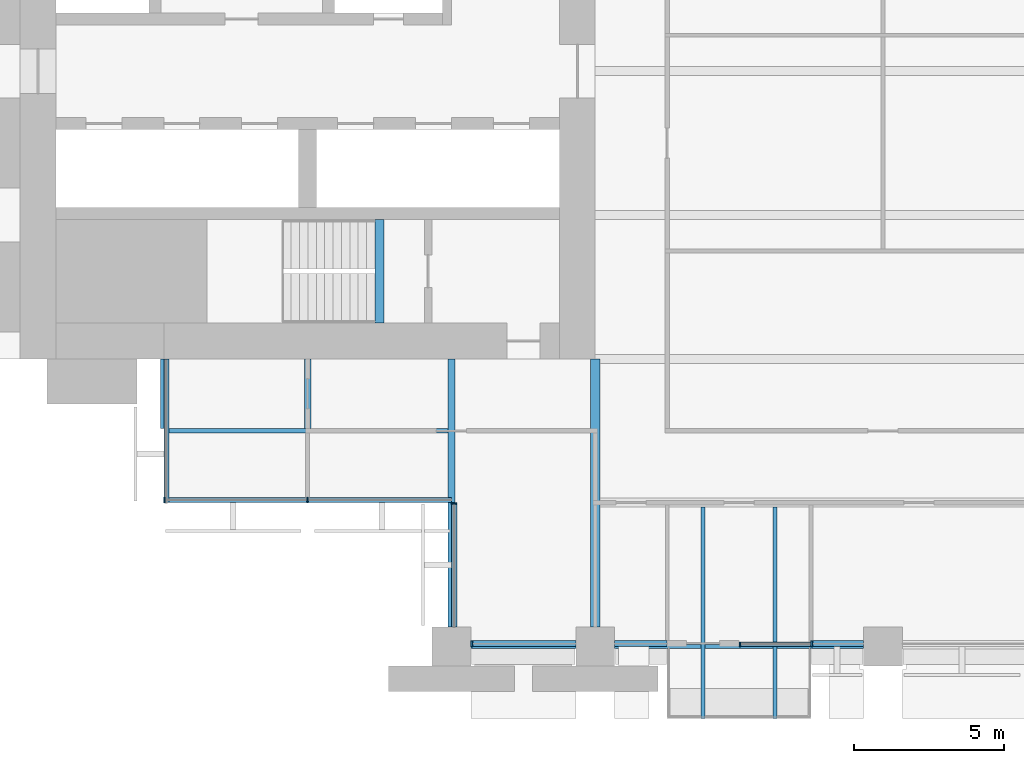
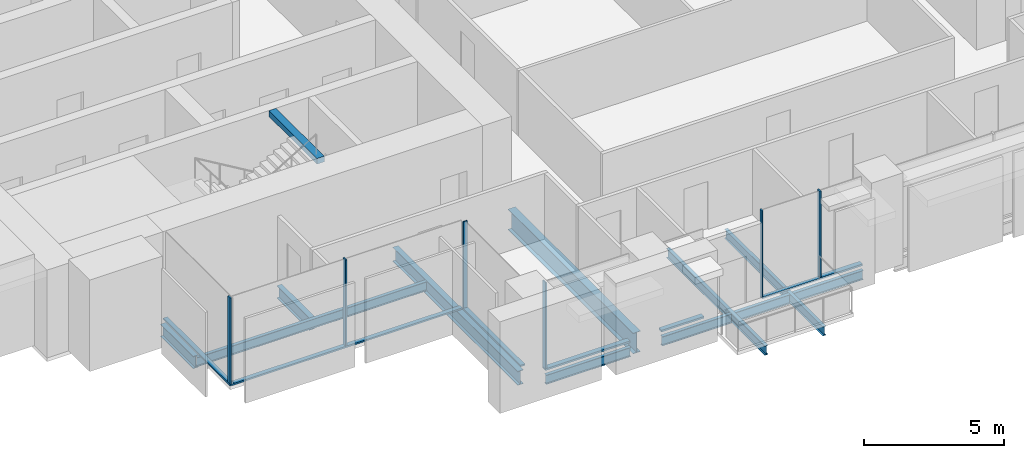
# One storey, part 2 of 15: 13 members, 12 beams, 6 elements without a shape of their own.
"""IFC4 building model written with IfcOpenShell, lengths in metres."""

from ifc_helpers import new_model, si_unit, direction, frame, origin, origin_2d, place, context, subcontext, project, spatial, rectangle, i_section, extrude, material, material_profile, profile_set, type_object, element, aggregate, save


model = new_model("IFC4")

# Units and contexts
model_context = context("Model", 3, precision=1e-05, world=origin(), true_north=direction((0.0, 1.0)))
body_context = subcontext(model_context, "Body", "Model", "MODEL_VIEW")
ifc_project = project(units=[si_unit("LENGTHUNIT", "METRE"), si_unit("AREAUNIT", "SQUARE_METRE"), si_unit("VOLUMEUNIT", "CUBIC_METRE"), si_unit("PLANEANGLEUNIT", "RADIAN"), si_unit("MASSUNIT", "GRAM", prefix="KILO")], contexts=[model_context])

# Site, building, storey
site_placement = place(None, origin())
site = spatial("IfcSite", under=ifc_project, at=site_placement, CompositionType="ELEMENT")
building_placement = place(site_placement, origin())
building = spatial("IfcBuilding", under=site, at=building_placement, Name="Baori Bourse Tower", CompositionType="ELEMENT")
storey_placement = place(building_placement, frame((0.0, 0.0, 47.0)))
storey = spatial("IfcBuildingStorey", under=building, at=storey_placement, Name="L09", CompositionType="ELEMENT", Elevation=47.0)

# Beams
ifc_material_1 = material(Name="Steel A992 Gr 50", Category="steel")
ifc_material_profile_1 = material_profile(ifc_material_1, i_section(OverallWidth=0.140380859375, OverallDepth=0.40380859375, WebThickness=0.007080078125, FlangeThickness=0.01123046875, at=origin_2d()), Name="W16x31")
ifc_profile_set_1 = profile_set([ifc_material_profile_1], Name="Steel A992 Gr 50")
beam_type_1 = type_object("IfcBeamType", Name="Balcony beam W16x31", PredefinedType="BEAM", material=ifc_profile_set_1)
for number, where, z_axis, x_axis, name in (
    (1, (22.800048828125, -2.39990234375, -0.36181640625), (0.0, 1.0, 0.0), (-1.0, 0.0, 0.0), "Balcony beam L09"),
    (2, (25.199951171875, -2.39990234375, -0.36181640625), (0.0, 1.0, 0.0), (-1.0, 0.0, 0.0), "Balcony beam L09"),
):
    element("IfcBeam", number, at=place(storey_placement, frame(where, z_axis=z_axis, x_axis=x_axis)), inside=storey, type_object=beam_type_1, Name=name, PredefinedType="BEAM", context=body_context, shape_type="SweptSolid", body=[
        extrude(i_section(OverallWidth=0.140380859375, OverallDepth=0.40380859375, WebThickness=0.007080078125, FlangeThickness=0.01123046875, at=origin_2d()), origin(), (0.0, 0.0, 1.0), 7.050048828125),
    ])

# Curtain wall, member
ifc_material_2 = material(Name="Pale anodised aluminium", Category="aluminium")
curtain_wall_type_1 = type_object("IfcCurtainWallType", Name="CW1 Curtain wall", PredefinedType="NOTDEFINED", material=ifc_material_2)
curtain_wall_1_placement = place(storey_placement, origin())
curtain_wall_1 = element("IfcCurtainWall", 3, at=curtain_wall_1_placement, inside=storey, type_object=curtain_wall_type_1, Name="Curtain wall CW1 L09 13", PredefinedType="NOTDEFINED")
ifc_material_3 = material(Name="Pale anodised aluminium", Category="aluminium")
ifc_material_profile_2 = material_profile(ifc_material_3, rectangle(XDim=0.199951171875, YDim=0.06005859375, at=origin_2d()), Name="Mullion 60x200")
ifc_profile_set_2 = profile_set([ifc_material_profile_2], Name="Pale anodised aluminium")
member_type_1 = type_object("IfcMemberType", Name="CW1 Curtain wall mullion", PredefinedType="MULLION", material=ifc_profile_set_2)
member_1_placement = place(storey_placement, frame((15.080078125, 0.10009765625, 0.080078125), z_axis=(0.0, 0.0, 1.0), x_axis=(0.0, 1.0, 0.0)))
member_1 = element("IfcMember", 4, at=member_1_placement, type_object=member_type_1, Name="Curtain wall CW1 mullion", PredefinedType="MULLION", context=body_context, shape_type="SweptSolid", body=[
    extrude(rectangle(XDim=0.199951171875, YDim=0.06005859375, at=origin_2d()), origin(), (0.0, 0.0, 1.0), 3.760009765625),
])

curtain_wall_2_placement = place(storey_placement, origin())
curtain_wall_2 = element("IfcCurtainWall", 5, at=curtain_wall_2_placement, inside=storey, type_object=curtain_wall_type_1, Name="Curtain wall CW1 L09 15", PredefinedType="NOTDEFINED")
member_2_placement = place(storey_placement, frame((26.429931640625, 0.10009765625, 0.080078125), z_axis=(0.0, 0.0, 1.0), x_axis=(0.0, 1.0, 0.0)))
member_2 = element("IfcMember", 6, at=member_2_placement, type_object=member_type_1, Name="Curtain wall CW1 mullion", PredefinedType="MULLION", context=body_context, shape_type="SweptSolid", body=[
    extrude(rectangle(XDim=0.199951171875, YDim=0.06005859375, at=origin_2d()), origin(), (0.0, 0.0, 1.0), 3.760009765625),
])

# Member
ifc_material_4 = material(Name="Pale anodised aluminium", Category="aluminium")
ifc_material_profile_3 = material_profile(ifc_material_4, rectangle(XDim=0.199951171875, YDim=0.080078125, at=origin_2d()), Name="Transom 80x200")
ifc_profile_set_3 = profile_set([ifc_material_profile_3], Name="Pale anodised aluminium")
member_type_2 = type_object("IfcMemberType", Name="CW1 Curtain wall transom", PredefinedType="USERDEFINED", material=ifc_profile_set_3)
member_3_placement = place(storey_placement, frame((15.050048828125, 0.10009765625, 0.0400390625), z_axis=(1.0, 0.0, 0.0), x_axis=(0.0, 1.0, 0.0)))
member_3 = element("IfcMember", 7, at=member_3_placement, type_object=member_type_2, Name="Curtain wall CW1 sill rail", ObjectType="TRANSOM", PredefinedType="USERDEFINED", context=body_context, shape_type="SweptSolid", body=[
    extrude(rectangle(XDim=0.199951171875, YDim=0.080078125, at=origin_2d()), origin(), (0.0, 0.0, 1.0), 3.5),
])

member_4_placement = place(storey_placement, frame((19.85009765625, 0.10009765625, 0.0400390625), z_axis=(1.0, 0.0, 0.0), x_axis=(0.0, 1.0, 0.0)))
member_4 = element("IfcMember", 8, at=member_4_placement, type_object=member_type_2, Name="Curtain wall CW1 sill rail", ObjectType="TRANSOM", PredefinedType="USERDEFINED", context=body_context, shape_type="SweptSolid", body=[
    extrude(rectangle(XDim=0.199951171875, YDim=0.080078125, at=origin_2d()), origin(), (0.0, 0.0, 1.0), 1.75),
])

aggregate(curtain_wall_1, [member_3, member_1, member_4])

member_5_placement = place(storey_placement, frame((26.39990234375, 0.10009765625, 0.0400390625), z_axis=(1.0, 0.0, 0.0), x_axis=(0.0, 1.0, 0.0)))
member_5 = element("IfcMember", 9, at=member_5_placement, type_object=member_type_2, Name="Curtain wall CW1 sill rail", ObjectType="TRANSOM", PredefinedType="USERDEFINED", context=body_context, shape_type="SweptSolid", body=[
    extrude(rectangle(XDim=0.199951171875, YDim=0.080078125, at=origin_2d()), origin(), (0.0, 0.0, 1.0), 1.75),
])

aggregate(curtain_wall_2, [member_5, member_2])

# Curtain wall, members
ifc_material_5 = material(Name="Pale anodised aluminium", Category="aluminium")
curtain_wall_type_2 = type_object("IfcCurtainWallType", Name="CW2 Curtain wall", PredefinedType="NOTDEFINED", material=ifc_material_5)
curtain_wall_3_placement = place(storey_placement, origin())
curtain_wall_3 = element("IfcCurtainWall", 10, at=curtain_wall_3_placement, inside=storey, type_object=curtain_wall_type_2, Name="Curtain wall CW2 L09 11", PredefinedType="NOTDEFINED")
ifc_material_6 = material(Name="Pale anodised aluminium", Category="aluminium")
ifc_material_profile_4 = material_profile(ifc_material_6, rectangle(XDim=0.179931640625, YDim=0.054931640625, at=origin_2d()), Name="Mullion 55x180")
ifc_profile_set_4 = profile_set([ifc_material_profile_4], Name="Pale anodised aluminium")
member_type_3 = type_object("IfcMemberType", Name="CW2 Curtain wall mullion", PredefinedType="MULLION", material=ifc_profile_set_4)
member_6_placement = place(storey_placement, frame((4.827392578125, 4.889892578125, 0.070068359375), z_axis=(0.0, 0.0, 1.0), x_axis=(0.0, 1.0, 0.0)))
member_6 = element("IfcMember", 11, at=member_6_placement, type_object=member_type_3, Name="Curtain wall CW2 mullion", PredefinedType="MULLION", context=body_context, shape_type="SweptSolid", body=[
    extrude(rectangle(XDim=0.179931640625, YDim=0.054931640625, at=origin_2d()), origin(), (0.0, 0.0, 1.0), 3.77001953125),
])
member_7_placement = place(storey_placement, frame((9.60009765625, 4.889892578125, 0.070068359375), z_axis=(0.0, 0.0, 1.0), x_axis=(0.0, 1.0, 0.0)))
member_7 = element("IfcMember", 12, at=member_7_placement, type_object=member_type_3, Name="Curtain wall CW2 mullion", PredefinedType="MULLION", context=body_context, shape_type="SweptSolid", body=[
    extrude(rectangle(XDim=0.179931640625, YDim=0.054931640625, at=origin_2d()), origin(), (0.0, 0.0, 1.0), 3.77001953125),
])

# Curtain wall, member
curtain_wall_4_placement = place(storey_placement, origin())
curtain_wall_4 = element("IfcCurtainWall", 13, at=curtain_wall_4_placement, inside=storey, type_object=curtain_wall_type_2, Name="Curtain wall CW2 L09 12", PredefinedType="NOTDEFINED")
member_8_placement = place(storey_placement, frame((14.489990234375, 4.7724609375, 0.070068359375), z_axis=(0.0, 0.0, 1.0), x_axis=(1.0, 0.0, 0.0)))
member_8 = element("IfcMember", 14, at=member_8_placement, type_object=member_type_3, Name="Curtain wall CW2 mullion", PredefinedType="MULLION", context=body_context, shape_type="SweptSolid", body=[
    extrude(rectangle(XDim=0.179931640625, YDim=0.054931640625, at=origin_2d()), origin(), (0.0, 0.0, 1.0), 3.77001953125),
])

curtain_wall_5_placement = place(storey_placement, origin())
curtain_wall_5 = element("IfcCurtainWall", 15, at=curtain_wall_5_placement, inside=storey, type_object=curtain_wall_type_2, Name="Curtain wall CW2 L09 10", PredefinedType="NOTDEFINED")
ifc_material_7 = material(Name="Pale anodised aluminium", Category="aluminium")
ifc_material_profile_5 = material_profile(ifc_material_7, rectangle(XDim=0.179931640625, YDim=0.070068359375, at=origin_2d()), Name="Transom 70x180")
ifc_profile_set_5 = profile_set([ifc_material_profile_5], Name="Pale anodised aluminium")
member_type_4 = type_object("IfcMemberType", Name="CW2 Curtain wall transom", PredefinedType="USERDEFINED", material=ifc_profile_set_5)
member_9_placement = place(storey_placement, frame((4.889892578125, 9.60009765625, 0.034912109375), z_axis=(0.0, -1.0, 0.0), x_axis=(1.0, 0.0, 0.0)))
member_9 = element("IfcMember", 16, at=member_9_placement, type_object=member_type_4, Name="Curtain wall CW2 sill rail", ObjectType="TRANSOM", PredefinedType="USERDEFINED", context=body_context, shape_type="SweptSolid", body=[
    extrude(rectangle(XDim=0.179931640625, YDim=0.070068359375, at=origin_2d()), origin(), (0.0, 0.0, 1.0), 4.800048828125),
])
aggregate(curtain_wall_5, [member_9])

# Member
member_10_placement = place(storey_placement, frame((4.800048828125, 4.889892578125, 0.034912109375), z_axis=(1.0, 0.0, 0.0), x_axis=(0.0, 1.0, 0.0)))
member_10 = element("IfcMember", 17, at=member_10_placement, type_object=member_type_4, Name="Curtain wall CW2 sill rail", ObjectType="TRANSOM", PredefinedType="USERDEFINED", context=body_context, shape_type="SweptSolid", body=[
    extrude(rectangle(XDim=0.179931640625, YDim=0.070068359375, at=origin_2d()), origin(), (0.0, 0.0, 1.0), 9.599853515625),
])

aggregate(curtain_wall_3, [member_10, member_6, member_7])

member_11_placement = place(storey_placement, frame((14.489990234375, 4.800048828125, 0.034912109375), z_axis=(0.0, -1.0, 0.0), x_axis=(1.0, 0.0, 0.0)))
member_11 = element("IfcMember", 18, at=member_11_placement, type_object=member_type_4, Name="Curtain wall CW2 sill rail", ObjectType="TRANSOM", PredefinedType="USERDEFINED", context=body_context, shape_type="SweptSolid", body=[
    extrude(rectangle(XDim=0.179931640625, YDim=0.070068359375, at=origin_2d()), origin(), (0.0, 0.0, 1.0), 4.150146484375),
])

aggregate(curtain_wall_4, [member_11, member_8])

# Curtain wall, members
ifc_material_8 = material(Name="Pale anodised aluminium", Category="aluminium")
curtain_wall_type_3 = type_object("IfcCurtainWallType", Name="CW6 Curtain wall", PredefinedType="NOTDEFINED", material=ifc_material_8)
curtain_wall_6_placement = place(storey_placement, origin())
curtain_wall_6 = element("IfcCurtainWall", 19, at=curtain_wall_6_placement, inside=storey, type_object=curtain_wall_type_3, Name="Curtain wall CW6 L09 14", PredefinedType="NOTDEFINED")
ifc_material_9 = material(Name="Pale anodised aluminium", Category="aluminium")
ifc_material_profile_6 = material_profile(ifc_material_9, rectangle(XDim=0.14990234375, YDim=0.050048828125, at=origin_2d()), Name="Mullion 50x150")
ifc_profile_set_6 = profile_set([ifc_material_profile_6], Name="Pale anodised aluminium")
member_type_5 = type_object("IfcMemberType", Name="CW6 Curtain wall mullion", PredefinedType="MULLION", material=ifc_profile_set_6)
member_12_placement = place(storey_placement, frame((24.02490234375, 0.074951171875, 0.06494140625), z_axis=(0.0, 0.0, 1.0), x_axis=(0.0, 1.0, 0.0)))
member_12 = element("IfcMember", 20, at=member_12_placement, type_object=member_type_5, Name="Curtain wall CW6 mullion", PredefinedType="MULLION", context=body_context, shape_type="SweptSolid", body=[
    extrude(rectangle(XDim=0.14990234375, YDim=0.050048828125, at=origin_2d()), origin(), (0.0, 0.0, 1.0), 3.775146484375),
])
ifc_material_10 = material(Name="Pale anodised aluminium", Category="aluminium")
ifc_material_profile_7 = material_profile(ifc_material_10, rectangle(XDim=0.14990234375, YDim=0.06494140625, at=origin_2d()), Name="Transom 65x150")
ifc_profile_set_7 = profile_set([ifc_material_profile_7], Name="Pale anodised aluminium")
member_type_6 = type_object("IfcMemberType", Name="CW6 Curtain wall transom", PredefinedType="USERDEFINED", material=ifc_profile_set_7)
member_13_placement = place(storey_placement, frame((24.0, 0.074951171875, 0.032470703125), z_axis=(1.0, 0.0, 0.0), x_axis=(0.0, 1.0, 0.0)))
member_13 = element("IfcMember", 21, at=member_13_placement, type_object=member_type_6, Name="Curtain wall CW6 sill rail", ObjectType="TRANSOM", PredefinedType="USERDEFINED", context=body_context, shape_type="SweptSolid", body=[
    extrude(rectangle(XDim=0.14990234375, YDim=0.06494140625, at=origin_2d()), origin(), (0.0, 0.0, 1.0), 2.39990234375),
])
aggregate(curtain_wall_6, [member_13, member_12])

# Beams
ifc_material_11 = material(Name="Steel A992 Gr 50", Category="steel")
ifc_material_profile_8 = material_profile(ifc_material_11, i_section(OverallWidth=0.21240234375, OverallDepth=0.54345703125, WebThickness=0.01318359375, FlangeThickness=0.021240234375, at=origin_2d()), Name="W21x83")
ifc_profile_set_8 = profile_set([ifc_material_profile_8], Name="Steel A992 Gr 50")
beam_type_2 = type_object("IfcBeamType", Name="Core bracket W21x83", PredefinedType="BEAM", material=ifc_profile_set_8)
for number, where, z_axis, x_axis, name in (
    (22, (4.800048828125, 7.270263671875, -0.431884765625), (0.0, 1.0, 0.0), (-1.0, 0.0, 0.0), "Core bracket L09"),
    (23, (9.60009765625, 7.270263671875, -0.431884765625), (0.0, 1.0, 0.0), (-1.0, 0.0, 0.0), "Core bracket L09"),
):
    element("IfcBeam", number, at=place(storey_placement, frame(where, z_axis=z_axis, x_axis=x_axis)), inside=storey, type_object=beam_type_2, Name=name, PredefinedType="BEAM", context=body_context, shape_type="SweptSolid", body=[
        extrude(i_section(OverallWidth=0.21240234375, OverallDepth=0.54345703125, WebThickness=0.01318359375, FlangeThickness=0.021240234375, at=origin_2d()), origin(), (0.0, 0.0, 1.0), 2.329833984375),
    ])
ifc_material_12 = material(Name="Steel A992 Gr 50", Category="steel")
ifc_material_profile_9 = material_profile(ifc_material_12, i_section(OverallWidth=0.140380859375, OverallDepth=0.40380859375, WebThickness=0.007080078125, FlangeThickness=0.01123046875, at=origin_2d()), Name="W16x31")
ifc_profile_set_9 = profile_set([ifc_material_profile_9], Name="Steel A992 Gr 50")
beam_type_3 = type_object("IfcBeamType", Name="Edge beam W16x31", PredefinedType="BEAM", material=ifc_profile_set_9)
beam_1_placement = place(storey_placement, frame((15.050048828125, 0.0, -0.36181640625), z_axis=(1.0, 0.0, 0.0), x_axis=(0.0, 1.0, 0.0)))
element("IfcBeam", 24, at=beam_1_placement, inside=storey, type_object=beam_type_3, Name="Edge beam L09", PredefinedType="BEAM", context=body_context, shape_type="SweptSolid", body=[
    extrude(i_section(OverallWidth=0.140380859375, OverallDepth=0.40380859375, WebThickness=0.007080078125, FlangeThickness=0.01123046875, at=origin_2d()), origin(), (0.0, 0.0, 1.0), 3.5),
])
beam_2_placement = place(storey_placement, frame((19.85009765625, 0.0, -0.36181640625), z_axis=(1.0, 0.0, 0.0), x_axis=(0.0, 1.0, 0.0)))
element("IfcBeam", 25, at=beam_2_placement, inside=storey, type_object=beam_type_3, Name="Edge beam L09", PredefinedType="BEAM", context=body_context, shape_type="SweptSolid", body=[
    extrude(i_section(OverallWidth=0.140380859375, OverallDepth=0.40380859375, WebThickness=0.007080078125, FlangeThickness=0.01123046875, at=origin_2d()), origin(), (0.0, 0.0, 1.0), 2.879638671875),
])
beam_3_placement = place(storey_placement, frame((22.8701171875, 0.0, -0.36181640625), z_axis=(1.0, 0.0, 0.0), x_axis=(0.0, 1.0, 0.0)))
element("IfcBeam", 26, at=beam_3_placement, inside=storey, type_object=beam_type_3, Name="Edge beam L09", PredefinedType="BEAM", context=body_context, shape_type="SweptSolid", body=[
    extrude(i_section(OverallWidth=0.140380859375, OverallDepth=0.40380859375, WebThickness=0.007080078125, FlangeThickness=0.01123046875, at=origin_2d()), origin(), (0.0, 0.0, 1.0), 2.259765625),
])
beam_4_placement = place(storey_placement, frame((25.270263671875, 0.0, -0.36181640625), z_axis=(1.0, 0.0, 0.0), x_axis=(0.0, 1.0, 0.0)))
element("IfcBeam", 27, at=beam_4_placement, inside=storey, type_object=beam_type_3, Name="Edge beam L09", PredefinedType="BEAM", context=body_context, shape_type="SweptSolid", body=[
    extrude(i_section(OverallWidth=0.140380859375, OverallDepth=0.40380859375, WebThickness=0.007080078125, FlangeThickness=0.01123046875, at=origin_2d()), origin(), (0.0, 0.0, 1.0), 2.879638671875),
])
ifc_material_13 = material(Name="Steel A992 Gr 50", Category="steel")
ifc_material_profile_10 = material_profile(ifc_material_13, i_section(OverallWidth=0.22900390625, OverallDepth=0.612060546875, WebThickness=0.011962890625, FlangeThickness=0.01953125, at=origin_2d()), Name="W24x84")
ifc_profile_set_10 = profile_set([ifc_material_profile_10], Name="Steel A992 Gr 50")
beam_type_4 = type_object("IfcBeamType", Name="Floor beam W24x84", PredefinedType="BEAM", material=ifc_profile_set_10)
beam_5_placement = place(storey_placement, frame((14.39990234375, 0.64990234375, -0.466064453125), z_axis=(0.0, 1.0, 0.0), x_axis=(-1.0, 0.0, 0.0)))
element("IfcBeam", 28, at=beam_5_placement, inside=storey, type_object=beam_type_4, Name="Floor beam L09", PredefinedType="BEAM", context=body_context, shape_type="SweptSolid", body=[
    extrude(i_section(OverallWidth=0.22900390625, OverallDepth=0.612060546875, WebThickness=0.011962890625, FlangeThickness=0.01953125, at=origin_2d()), origin(), (0.0, 0.0, 1.0), 8.9501953125),
])
ifc_material_14 = material(Name="Steel A992 Gr 50", Category="steel")
ifc_material_profile_11 = material_profile(ifc_material_14, i_section(OverallWidth=0.3046875, OverallDepth=0.904296875, WebThickness=0.01513671875, FlangeThickness=0.02001953125, at=origin_2d()), Name="W36x135")
ifc_profile_set_11 = profile_set([ifc_material_profile_11], Name="Steel A992 Gr 50")
beam_type_5 = type_object("IfcBeamType", Name="Girder W36x135", PredefinedType="BEAM", material=ifc_profile_set_11)
beam_6_placement = place(storey_placement, frame((19.199951171875, 0.64990234375, -0.612060546875), z_axis=(0.0, 1.0, 0.0), x_axis=(-1.0, 0.0, 0.0)))
element("IfcBeam", 29, at=beam_6_placement, inside=storey, type_object=beam_type_5, Name="Girder L09", PredefinedType="BEAM", context=body_context, shape_type="SweptSolid", body=[
    extrude(i_section(OverallWidth=0.3046875, OverallDepth=0.904296875, WebThickness=0.01513671875, FlangeThickness=0.02001953125, at=origin_2d()), origin(), (0.0, 0.0, 1.0), 8.9501953125),
])
ifc_material_15 = material(Name="Concrete f'c 50 MPa", Category="concrete")
ifc_material_profile_12 = material_profile(ifc_material_15, rectangle(XDim=0.300048828125, YDim=0.25, at=origin_2d()), Name="RC 300x250")
ifc_profile_set_12 = profile_set([ifc_material_profile_12], Name="Concrete f'c 50 MPa")
beam_type_6 = type_object("IfcBeamType", Name="Stair nib beam RC 300x250", PredefinedType="BEAM", material=ifc_profile_set_12)
beam_7_placement = place(storey_placement, frame((12.0, 10.800048828125, 3.715087890625), z_axis=(0.0, 1.0, 0.0), x_axis=(-1.0, 0.0, 0.0)))
element("IfcBeam", 30, at=beam_7_placement, inside=storey, type_object=beam_type_6, Name="Stair WA nib beam L10", PredefinedType="BEAM", context=body_context, shape_type="SweptSolid", body=[
    extrude(rectangle(XDim=0.300048828125, YDim=0.25, at=origin_2d()), origin(), (0.0, 0.0, 1.0), 3.449951171875),
])
ifc_material_16 = material(Name="Steel A992 Gr 50", Category="steel")
ifc_material_profile_13 = material_profile(ifc_material_16, i_section(OverallWidth=0.140380859375, OverallDepth=0.40380859375, WebThickness=0.007080078125, FlangeThickness=0.01123046875, at=origin_2d()), Name="W16x31")
ifc_profile_set_13 = profile_set([ifc_material_profile_13], Name="Steel A992 Gr 50")
beam_type_7 = type_object("IfcBeamType", Name="Trimmer beam W16x31", PredefinedType="BEAM", material=ifc_profile_set_13)
beam_8_placement = place(storey_placement, frame((4.800048828125, 7.199951171875, -0.36181640625), z_axis=(1.0, 0.0, 0.0), x_axis=(0.0, 1.0, 0.0)))
element("IfcBeam", 31, at=beam_8_placement, inside=storey, type_object=beam_type_7, Name="Trimmer beam L09", PredefinedType="BEAM", context=body_context, shape_type="SweptSolid", body=[
    extrude(i_section(OverallWidth=0.140380859375, OverallDepth=0.40380859375, WebThickness=0.007080078125, FlangeThickness=0.01123046875, at=origin_2d()), origin(), (0.0, 0.0, 1.0), 9.4853515625),
])

save(model, "model.ifc")
